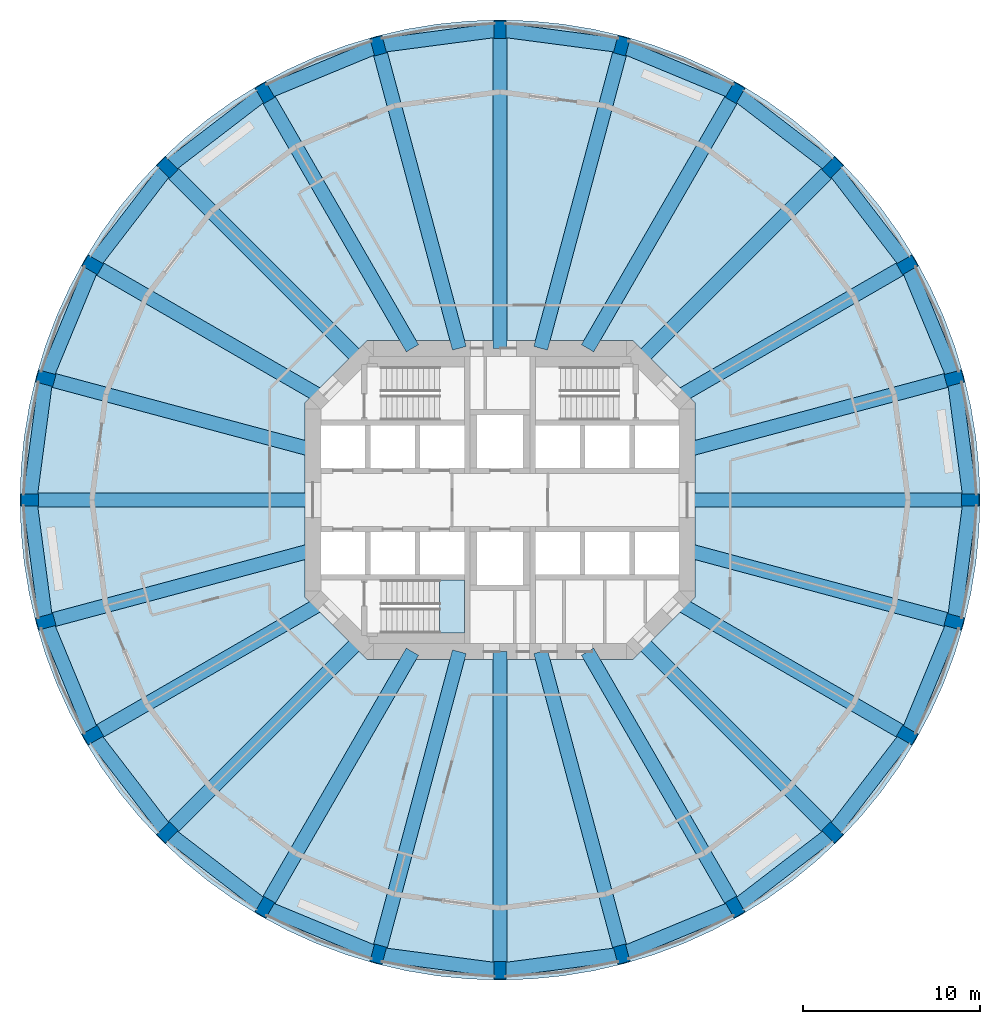
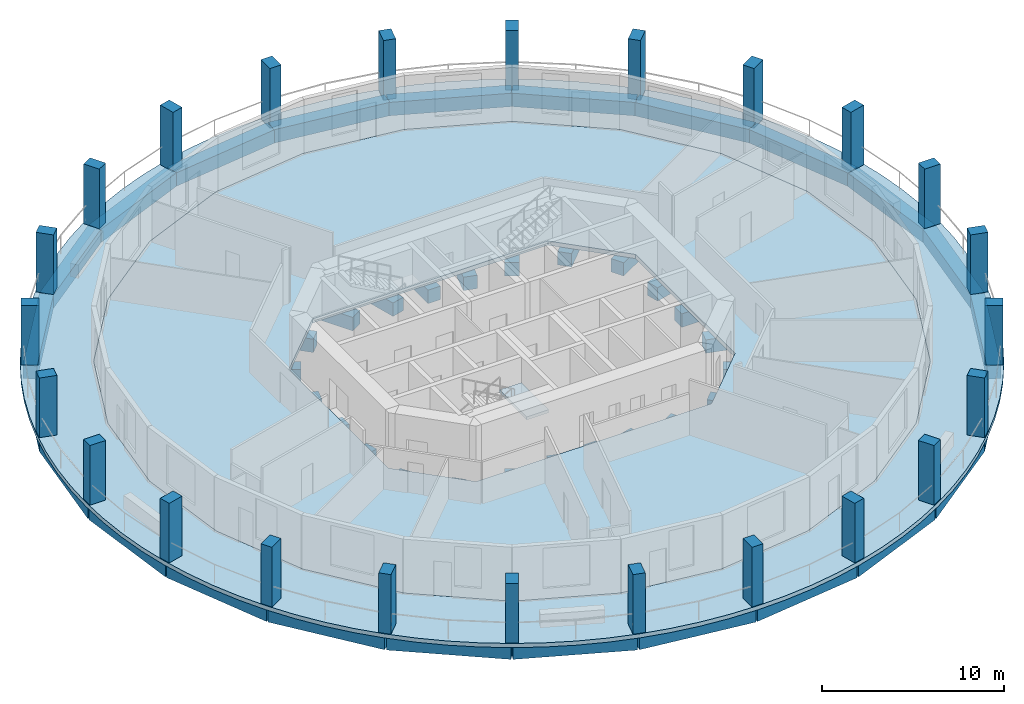
# One storey, part 1 of 9: 48 beams, 24 columns, 3 slabs, 1 element without a shape of its own.
"""IFC4 building model written with IfcOpenShell, lengths in metres."""

from ifc_helpers import new_model, si_unit, direction, frame, origin, origin_2d, place, context, subcontext, project, spatial, polyline, rectangle, outline, extrude, material, layer, layer_set, material_profile, profile_set, type_object, element, aggregate, save


model = new_model("IFC4")

# Units and contexts
model_context = context("Model", 3, precision=1e-05, world=origin(), true_north=direction((0.0, 1.0)))
body_context = subcontext(model_context, "Body", "Model", "MODEL_VIEW")
ifc_project = project(units=[si_unit("LENGTHUNIT", "METRE"), si_unit("AREAUNIT", "SQUARE_METRE"), si_unit("VOLUMEUNIT", "CUBIC_METRE"), si_unit("PLANEANGLEUNIT", "RADIAN"), si_unit("MASSUNIT", "GRAM", prefix="KILO")], contexts=[model_context])

# Site, building, storey
site_placement = place(None, origin())
site = spatial("IfcSite", under=ifc_project, at=site_placement, CompositionType="ELEMENT")
building_placement = place(site_placement, origin())
building = spatial("IfcBuilding", under=site, at=building_placement, Name="Torre Triforio", CompositionType="ELEMENT")
storey_placement = place(building_placement, frame((0.0, 0.0, 59.0)))
storey = spatial("IfcBuildingStorey", under=building, at=storey_placement, Name="L12", CompositionType="ELEMENT", Elevation=59.0)

# Columns
ifc_material_1 = material(Name="Concrete C70", Category="concrete")
ifc_material_profile_1 = material_profile(ifc_material_1, rectangle(XDim=0.699951171875, YDim=1.0, at=origin_2d()), Name="RC 700x1000")
ifc_profile_set_1 = profile_set([ifc_material_profile_1], Name="Concrete C70")
column_type = type_object("IfcColumnType", Name="Pier RC 700x1000 C70", PredefinedType="COLUMN", material=ifc_profile_set_1)
for number, where, z_axis, x_axis, name in (
    (1, (26.5, 0.0, 0.0), (0.0, 0.0, 1.0), (0.0, 1.0, 0.0), "COL.R.L12.00"),
    (2, (25.596923828125, 6.858642578125, 0.0), (0.0, 0.0, 1.0), (-0.258819045103, 0.965925826289, 0.0), "COL.R.L12.01"),
    (3, (22.94970703125, 13.25, 0.0), (0.0, 0.0, 1.0), (-0.5, 0.866025403784, 0.0), "COL.R.L12.02"),
    (4, (18.73828125, 18.73828125, 0.0), (0.0, 0.0, 1.0), (-0.707106781187, 0.707106781187, 0.0), "COL.R.L12.03"),
    (5, (13.25, 22.94970703125, 0.0), (0.0, 0.0, 1.0), (-0.866025403784, 0.5, 0.0), "COL.R.L12.04"),
    (6, (6.858642578125, 25.596923828125, 0.0), (0.0, 0.0, 1.0), (-0.965925826289, 0.258819045103, 0.0), "COL.R.L12.05"),
    (7, (0.0, 26.5, 0.0), (0.0, 0.0, 1.0), (-1.0, 0.0, 0.0), "COL.R.L12.06"),
    (8, (-6.858642578125, 25.596923828125, 0.0), (0.0, 0.0, 1.0), (-0.965925826289, -0.258819045103, 0.0), "COL.R.L12.07"),
    (9, (-13.25, 22.94970703125, 0.0), (0.0, 0.0, 1.0), (-0.866025403784, -0.5, 0.0), "COL.R.L12.08"),
    (10, (-18.73828125, 18.73828125, 0.0), (0.0, 0.0, 1.0), (-0.707106781187, -0.707106781187, 0.0), "COL.R.L12.09"),
    (11, (-22.94970703125, 13.25, 0.0), (0.0, 0.0, 1.0), (-0.5, -0.866025403784, 0.0), "COL.R.L12.10"),
    (12, (-25.596923828125, 6.858642578125, 0.0), (0.0, 0.0, 1.0), (-0.258819045103, -0.965925826289, 0.0), "COL.R.L12.11"),
    (13, (-26.5, 0.0, 0.0), (0.0, 0.0, 1.0), (0.0, -1.0, 0.0), "COL.R.L12.12"),
    (14, (-25.596923828125, -6.858642578125, 0.0), (0.0, 0.0, 1.0), (0.258819045103, -0.965925826289, 0.0), "COL.R.L12.13"),
    (15, (-22.94970703125, -13.25, 0.0), (0.0, 0.0, 1.0), (0.5, -0.866025403784, 0.0), "COL.R.L12.14"),
    (16, (-18.73828125, -18.73828125, 0.0), (0.0, 0.0, 1.0), (0.707106781187, -0.707106781187, 0.0), "COL.R.L12.15"),
    (17, (-13.25, -22.94970703125, 0.0), (0.0, 0.0, 1.0), (0.866025403784, -0.5, 0.0), "COL.R.L12.16"),
    (18, (-6.858642578125, -25.596923828125, 0.0), (0.0, 0.0, 1.0), (0.965925826289, -0.258819045103, 0.0), "COL.R.L12.17"),
    (19, (0.0, -26.5, 0.0), (0.0, 0.0, 1.0), (1.0, 0.0, 0.0), "COL.R.L12.18"),
    (20, (6.858642578125, -25.596923828125, 0.0), (0.0, 0.0, 1.0), (0.965925826289, 0.258819045103, 0.0), "COL.R.L12.19"),
    (21, (13.25, -22.94970703125, 0.0), (0.0, 0.0, 1.0), (0.866025403784, 0.5, 0.0), "COL.R.L12.20"),
    (22, (18.73828125, -18.73828125, 0.0), (0.0, 0.0, 1.0), (0.707106781187, 0.707106781187, 0.0), "COL.R.L12.21"),
    (23, (22.94970703125, -13.25, 0.0), (0.0, 0.0, 1.0), (0.5, 0.866025403784, 0.0), "COL.R.L12.22"),
    (24, (25.596923828125, -6.858642578125, 0.0), (0.0, 0.0, 1.0), (0.258819045103, 0.965925826289, 0.0), "COL.R.L12.23"),
):
    element("IfcColumn", number, at=place(storey_placement, frame(where, z_axis=z_axis, x_axis=x_axis)), inside=storey, type_object=column_type, Name=name, PredefinedType="COLUMN", context=body_context, shape_type="SweptSolid", body=[
        extrude(rectangle(XDim=0.699951171875, YDim=1.0, at=origin_2d()), origin(), (0.0, 0.0, 1.0), 4.0),
    ])

# Beams
ifc_material_2 = material(Name="Concrete C50", Category="concrete")
ifc_material_profile_2 = material_profile(ifc_material_2, rectangle(XDim=0.800048828125, YDim=0.89990234375, at=origin_2d()), Name="RC 800x900")
ifc_profile_set_2 = profile_set([ifc_material_profile_2], Name="Concrete C50")
beam_type_1 = type_object("IfcBeamType", Name="Radial beam RC 800x900 C50", PredefinedType="BEAM", material=ifc_profile_set_2)
beam_1_placement = place(storey_placement, frame((10.550048828125, 0.0, -0.72998046875), z_axis=(1.0, 0.0, 0.0), x_axis=(0.0, 1.0, 0.0)))
element("IfcBeam", 25, at=beam_1_placement, inside=storey, type_object=beam_type_1, Name="BM.R.L12.00", PredefinedType="BEAM", context=body_context, shape_type="SweptSolid", body=[
    extrude(rectangle(XDim=0.800048828125, YDim=0.89990234375, at=origin_2d()), origin(), (0.0, 0.0, 1.0), 15.949951171875),
])
beam_2_placement = place(storey_placement, frame((10.550048828125, 2.826904296875, -0.72998046875), z_axis=(0.965926784764, 0.258815467997, 0.0), x_axis=(-0.258815467997, 0.965926784764, 0.0)))
element("IfcBeam", 26, at=beam_2_placement, inside=storey, type_object=beam_type_1, Name="BM.R.L12.01", PredefinedType="BEAM", context=body_context, shape_type="SweptSolid", body=[
    extrude(rectangle(XDim=0.800048828125, YDim=0.89990234375, at=origin_2d()), origin(), (0.0, 0.0, 1.0), 15.57763671875),
])
beam_3_placement = place(storey_placement, frame((10.039794921875, 5.796630859375, -0.72998046875), z_axis=(0.866030402573, 0.499991341745, 0.0), x_axis=(-0.499991341745, 0.866030402573, 0.0)))
element("IfcBeam", 27, at=beam_3_placement, inside=storey, type_object=beam_type_1, Name="BM.R.L12.02", PredefinedType="BEAM", context=body_context, shape_type="SweptSolid", body=[
    extrude(rectangle(XDim=0.800048828125, YDim=0.89990234375, at=origin_2d()), origin(), (0.0, 0.0, 1.0), 14.906982421875),
])
beam_4_placement = place(storey_placement, frame((7.918212890625, 7.918212890625, -0.72998046875), z_axis=(0.707106781187, 0.707106781187, 0.0), x_axis=(-0.707106781187, 0.707106781187, 0.0)))
element("IfcBeam", 28, at=beam_4_placement, inside=storey, type_object=beam_type_1, Name="BM.R.L12.03", PredefinedType="BEAM", context=body_context, shape_type="SweptSolid", body=[
    extrude(rectangle(XDim=0.800048828125, YDim=0.89990234375, at=origin_2d()), origin(), (0.0, 0.0, 1.0), 15.302001953125),
])
beam_5_placement = place(storey_placement, frame((4.936279296875, 8.550048828125, -0.72998046875), z_axis=(0.500003345241, 0.8660234724, 0.0), x_axis=(-0.8660234724, 0.500003345241, 0.0)))
element("IfcBeam", 29, at=beam_5_placement, inside=storey, type_object=beam_type_1, Name="BM.R.L12.04", PredefinedType="BEAM", context=body_context, shape_type="SweptSolid", body=[
    extrude(rectangle(XDim=0.800048828125, YDim=0.89990234375, at=origin_2d()), origin(), (0.0, 0.0, 1.0), 16.62744140625),
])
beam_6_placement = place(storey_placement, frame((2.291015625, 8.550048828125, -0.72998046875), z_axis=(0.258815374176, 0.965926809903, 0.0), x_axis=(-0.965926809903, 0.258815374176, 0.0)))
element("IfcBeam", 30, at=beam_6_placement, inside=storey, type_object=beam_type_1, Name="BM.R.L12.05", PredefinedType="BEAM", context=body_context, shape_type="SweptSolid", body=[
    extrude(rectangle(XDim=0.800048828125, YDim=0.89990234375, at=origin_2d()), origin(), (0.0, 0.0, 1.0), 17.648193359375),
])
beam_7_placement = place(storey_placement, frame((0.0, 8.550048828125, -0.72998046875), z_axis=(0.0, 1.0, 0.0), x_axis=(-1.0, 0.0, 0.0)))
element("IfcBeam", 31, at=beam_7_placement, inside=storey, type_object=beam_type_1, Name="BM.R.L12.06", PredefinedType="BEAM", context=body_context, shape_type="SweptSolid", body=[
    extrude(rectangle(XDim=0.800048828125, YDim=0.89990234375, at=origin_2d()), origin(), (0.0, 0.0, 1.0), 17.949951171875),
])
beam_8_placement = place(storey_placement, frame((-2.291015625, 8.550048828125, -0.72998046875), z_axis=(-0.258815374176, 0.965926809903, 0.0), x_axis=(-0.965926809903, -0.258815374176, 0.0)))
element("IfcBeam", 32, at=beam_8_placement, inside=storey, type_object=beam_type_1, Name="BM.R.L12.07", PredefinedType="BEAM", context=body_context, shape_type="SweptSolid", body=[
    extrude(rectangle(XDim=0.800048828125, YDim=0.89990234375, at=origin_2d()), origin(), (0.0, 0.0, 1.0), 17.648193359375),
])
beam_9_placement = place(storey_placement, frame((-4.936279296875, 8.550048828125, -0.72998046875), z_axis=(-0.500003345241, 0.8660234724, 0.0), x_axis=(-0.8660234724, -0.500003345241, 0.0)))
element("IfcBeam", 33, at=beam_9_placement, inside=storey, type_object=beam_type_1, Name="BM.R.L12.08", PredefinedType="BEAM", context=body_context, shape_type="SweptSolid", body=[
    extrude(rectangle(XDim=0.800048828125, YDim=0.89990234375, at=origin_2d()), origin(), (0.0, 0.0, 1.0), 16.62744140625),
])
beam_10_placement = place(storey_placement, frame((-7.918212890625, 7.918212890625, -0.72998046875), z_axis=(-0.707106781187, 0.707106781187, 0.0), x_axis=(-0.707106781187, -0.707106781187, 0.0)))
element("IfcBeam", 34, at=beam_10_placement, inside=storey, type_object=beam_type_1, Name="BM.R.L12.09", PredefinedType="BEAM", context=body_context, shape_type="SweptSolid", body=[
    extrude(rectangle(XDim=0.800048828125, YDim=0.89990234375, at=origin_2d()), origin(), (0.0, 0.0, 1.0), 15.302001953125),
])
beam_11_placement = place(storey_placement, frame((-10.039794921875, 5.796630859375, -0.72998046875), z_axis=(-0.866030402573, 0.499991341745, 0.0), x_axis=(-0.499991341745, -0.866030402573, 0.0)))
element("IfcBeam", 35, at=beam_11_placement, inside=storey, type_object=beam_type_1, Name="BM.R.L12.10", PredefinedType="BEAM", context=body_context, shape_type="SweptSolid", body=[
    extrude(rectangle(XDim=0.800048828125, YDim=0.89990234375, at=origin_2d()), origin(), (0.0, 0.0, 1.0), 14.906982421875),
])
beam_12_placement = place(storey_placement, frame((-10.550048828125, 2.826904296875, -0.72998046875), z_axis=(-0.965926784764, 0.258815467997, 0.0), x_axis=(-0.258815467997, -0.965926784764, 0.0)))
element("IfcBeam", 36, at=beam_12_placement, inside=storey, type_object=beam_type_1, Name="BM.R.L12.11", PredefinedType="BEAM", context=body_context, shape_type="SweptSolid", body=[
    extrude(rectangle(XDim=0.800048828125, YDim=0.89990234375, at=origin_2d()), origin(), (0.0, 0.0, 1.0), 15.57763671875),
])
beam_13_placement = place(storey_placement, frame((-10.550048828125, 0.0, -0.72998046875), z_axis=(-1.0, 0.0, 0.0), x_axis=(0.0, -1.0, 0.0)))
element("IfcBeam", 37, at=beam_13_placement, inside=storey, type_object=beam_type_1, Name="BM.R.L12.12", PredefinedType="BEAM", context=body_context, shape_type="SweptSolid", body=[
    extrude(rectangle(XDim=0.800048828125, YDim=0.89990234375, at=origin_2d()), origin(), (0.0, 0.0, 1.0), 15.949951171875),
])
beam_14_placement = place(storey_placement, frame((-10.550048828125, -2.826904296875, -0.72998046875), z_axis=(-0.965926784764, -0.258815467997, 0.0), x_axis=(0.258815467997, -0.965926784764, 0.0)))
element("IfcBeam", 38, at=beam_14_placement, inside=storey, type_object=beam_type_1, Name="BM.R.L12.13", PredefinedType="BEAM", context=body_context, shape_type="SweptSolid", body=[
    extrude(rectangle(XDim=0.800048828125, YDim=0.89990234375, at=origin_2d()), origin(), (0.0, 0.0, 1.0), 15.57763671875),
])
beam_15_placement = place(storey_placement, frame((-10.039794921875, -5.796630859375, -0.72998046875), z_axis=(-0.866030402573, -0.499991341745, 0.0), x_axis=(0.499991341745, -0.866030402573, 0.0)))
element("IfcBeam", 39, at=beam_15_placement, inside=storey, type_object=beam_type_1, Name="BM.R.L12.14", PredefinedType="BEAM", context=body_context, shape_type="SweptSolid", body=[
    extrude(rectangle(XDim=0.800048828125, YDim=0.89990234375, at=origin_2d()), origin(), (0.0, 0.0, 1.0), 14.906982421875),
])
beam_16_placement = place(storey_placement, frame((-7.918212890625, -7.918212890625, -0.72998046875), z_axis=(-0.707106781187, -0.707106781187, 0.0), x_axis=(0.707106781187, -0.707106781187, 0.0)))
element("IfcBeam", 40, at=beam_16_placement, inside=storey, type_object=beam_type_1, Name="BM.R.L12.15", PredefinedType="BEAM", context=body_context, shape_type="SweptSolid", body=[
    extrude(rectangle(XDim=0.800048828125, YDim=0.89990234375, at=origin_2d()), origin(), (0.0, 0.0, 1.0), 15.302001953125),
])
beam_17_placement = place(storey_placement, frame((-4.936279296875, -8.550048828125, -0.72998046875), z_axis=(-0.500003345241, -0.8660234724, 0.0), x_axis=(0.8660234724, -0.500003345241, 0.0)))
element("IfcBeam", 41, at=beam_17_placement, inside=storey, type_object=beam_type_1, Name="BM.R.L12.16", PredefinedType="BEAM", context=body_context, shape_type="SweptSolid", body=[
    extrude(rectangle(XDim=0.800048828125, YDim=0.89990234375, at=origin_2d()), origin(), (0.0, 0.0, 1.0), 16.62744140625),
])
beam_18_placement = place(storey_placement, frame((-2.291015625, -8.550048828125, -0.72998046875), z_axis=(-0.258815374176, -0.965926809903, 0.0), x_axis=(0.965926809903, -0.258815374176, 0.0)))
element("IfcBeam", 42, at=beam_18_placement, inside=storey, type_object=beam_type_1, Name="BM.R.L12.17", PredefinedType="BEAM", context=body_context, shape_type="SweptSolid", body=[
    extrude(rectangle(XDim=0.800048828125, YDim=0.89990234375, at=origin_2d()), origin(), (0.0, 0.0, 1.0), 17.648193359375),
])
beam_19_placement = place(storey_placement, frame((0.0, -8.550048828125, -0.72998046875), z_axis=(0.0, -1.0, 0.0), x_axis=(1.0, 0.0, 0.0)))
element("IfcBeam", 43, at=beam_19_placement, inside=storey, type_object=beam_type_1, Name="BM.R.L12.18", PredefinedType="BEAM", context=body_context, shape_type="SweptSolid", body=[
    extrude(rectangle(XDim=0.800048828125, YDim=0.89990234375, at=origin_2d()), origin(), (0.0, 0.0, 1.0), 17.949951171875),
])
beam_20_placement = place(storey_placement, frame((2.291015625, -8.550048828125, -0.72998046875), z_axis=(0.258815374176, -0.965926809903, 0.0), x_axis=(0.965926809903, 0.258815374176, 0.0)))
element("IfcBeam", 44, at=beam_20_placement, inside=storey, type_object=beam_type_1, Name="BM.R.L12.19", PredefinedType="BEAM", context=body_context, shape_type="SweptSolid", body=[
    extrude(rectangle(XDim=0.800048828125, YDim=0.89990234375, at=origin_2d()), origin(), (0.0, 0.0, 1.0), 17.648193359375),
])
beam_21_placement = place(storey_placement, frame((4.936279296875, -8.550048828125, -0.72998046875), z_axis=(0.500003345241, -0.8660234724, 0.0), x_axis=(0.8660234724, 0.500003345241, 0.0)))
element("IfcBeam", 45, at=beam_21_placement, inside=storey, type_object=beam_type_1, Name="BM.R.L12.20", PredefinedType="BEAM", context=body_context, shape_type="SweptSolid", body=[
    extrude(rectangle(XDim=0.800048828125, YDim=0.89990234375, at=origin_2d()), origin(), (0.0, 0.0, 1.0), 16.62744140625),
])
beam_22_placement = place(storey_placement, frame((7.918212890625, -7.918212890625, -0.72998046875), z_axis=(0.707106781187, -0.707106781187, 0.0), x_axis=(0.707106781187, 0.707106781187, 0.0)))
element("IfcBeam", 46, at=beam_22_placement, inside=storey, type_object=beam_type_1, Name="BM.R.L12.21", PredefinedType="BEAM", context=body_context, shape_type="SweptSolid", body=[
    extrude(rectangle(XDim=0.800048828125, YDim=0.89990234375, at=origin_2d()), origin(), (0.0, 0.0, 1.0), 15.302001953125),
])
beam_23_placement = place(storey_placement, frame((10.039794921875, -5.796630859375, -0.72998046875), z_axis=(0.866030402573, -0.499991341745, 0.0), x_axis=(0.499991341745, 0.866030402573, 0.0)))
element("IfcBeam", 47, at=beam_23_placement, inside=storey, type_object=beam_type_1, Name="BM.R.L12.22", PredefinedType="BEAM", context=body_context, shape_type="SweptSolid", body=[
    extrude(rectangle(XDim=0.800048828125, YDim=0.89990234375, at=origin_2d()), origin(), (0.0, 0.0, 1.0), 14.906982421875),
])
beam_24_placement = place(storey_placement, frame((10.550048828125, -2.826904296875, -0.72998046875), z_axis=(0.965926784764, -0.258815467997, 0.0), x_axis=(0.258815467997, 0.965926784764, 0.0)))
element("IfcBeam", 48, at=beam_24_placement, inside=storey, type_object=beam_type_1, Name="BM.R.L12.23", PredefinedType="BEAM", context=body_context, shape_type="SweptSolid", body=[
    extrude(rectangle(XDim=0.800048828125, YDim=0.89990234375, at=origin_2d()), origin(), (0.0, 0.0, 1.0), 15.57763671875),
])
ifc_material_profile_3 = material_profile(ifc_material_2, rectangle(XDim=0.800048828125, YDim=0.89990234375, at=origin_2d()), Name="RC 800x900")
ifc_profile_set_3 = profile_set([ifc_material_profile_3], Name="Concrete C50")
beam_type_2 = type_object("IfcBeamType", Name="Spandrel beam RC 800x900 C50", PredefinedType="SPANDREL", material=ifc_profile_set_3)
beam_25_placement = place(storey_placement, frame((26.5, 0.0, -0.72998046875), z_axis=(-0.130543064996, 0.991442639885, 0.0), x_axis=(-0.991442639885, -0.130543064996, 0.0)))
element("IfcBeam", 49, at=beam_25_placement, inside=storey, type_object=beam_type_2, Name="BM.S.L12.00", PredefinedType="SPANDREL", context=body_context, shape_type="SweptSolid", body=[
    extrude(rectangle(XDim=0.800048828125, YDim=0.89990234375, at=origin_2d()), origin(), (0.0, 0.0, 1.0), 6.917724609375),
])
for number, where, z_axis, x_axis, name in (
    (50, (25.596923828125, 6.858642578125, -0.72998046875), (-0.382662441128, 0.923888227087, 0.0), (-0.923888227087, -0.382662441128, 0.0), "BM.S.L12.01"),
    (51, (22.94970703125, 13.25, -0.72998046875), (-0.608772297796, 0.793345000259, 0.0), (-0.793345000259, -0.608772297796, 0.0), "BM.S.L12.02"),
    (52, (18.73828125, 18.73828125, -0.72998046875), (-0.793345000259, 0.608772297796, 0.0), (-0.608772297796, -0.793345000259, 0.0), "BM.S.L12.03"),
    (53, (13.25, 22.94970703125, -0.72998046875), (-0.923888227087, 0.382662441128, 0.0), (-0.382662441128, -0.923888227087, 0.0), "BM.S.L12.04"),
):
    element("IfcBeam", number, at=place(storey_placement, frame(where, z_axis=z_axis, x_axis=x_axis)), inside=storey, type_object=beam_type_2, Name=name, PredefinedType="SPANDREL", context=body_context, shape_type="SweptSolid", body=[
        extrude(rectangle(XDim=0.800048828125, YDim=0.89990234375, at=origin_2d()), origin(), (0.0, 0.0, 1.0), 6.91796875),
    ])
for number, where, z_axis, x_axis, name in (
    (54, (6.858642578125, 25.596923828125, -0.72998046875), (-0.991442639885, 0.130543064996, 0.0), (-0.130543064996, -0.991442639885, 0.0), "BM.S.L12.05"),
    (55, (0.0, 26.5, -0.72998046875), (-0.991442639885, -0.130543064996, 0.0), (0.130543064996, -0.991442639885, 0.0), "BM.S.L12.06"),
):
    element("IfcBeam", number, at=place(storey_placement, frame(where, z_axis=z_axis, x_axis=x_axis)), inside=storey, type_object=beam_type_2, Name=name, PredefinedType="SPANDREL", context=body_context, shape_type="SweptSolid", body=[
        extrude(rectangle(XDim=0.800048828125, YDim=0.89990234375, at=origin_2d()), origin(), (0.0, 0.0, 1.0), 6.917724609375),
    ])
for number, where, z_axis, x_axis, name in (
    (56, (-6.858642578125, 25.596923828125, -0.72998046875), (-0.923888227087, -0.382662441128, 0.0), (0.382662441128, -0.923888227087, 0.0), "BM.S.L12.07"),
    (57, (-13.25, 22.94970703125, -0.72998046875), (-0.793345000259, -0.608772297796, 0.0), (0.608772297796, -0.793345000259, 0.0), "BM.S.L12.08"),
    (58, (-18.73828125, 18.73828125, -0.72998046875), (-0.608772297796, -0.793345000259, 0.0), (0.793345000259, -0.608772297796, 0.0), "BM.S.L12.09"),
    (59, (-22.94970703125, 13.25, -0.72998046875), (-0.382662441128, -0.923888227087, 0.0), (0.923888227087, -0.382662441128, 0.0), "BM.S.L12.10"),
):
    element("IfcBeam", number, at=place(storey_placement, frame(where, z_axis=z_axis, x_axis=x_axis)), inside=storey, type_object=beam_type_2, Name=name, PredefinedType="SPANDREL", context=body_context, shape_type="SweptSolid", body=[
        extrude(rectangle(XDim=0.800048828125, YDim=0.89990234375, at=origin_2d()), origin(), (0.0, 0.0, 1.0), 6.91796875),
    ])
for number, where, z_axis, x_axis, name in (
    (60, (-25.596923828125, 6.858642578125, -0.72998046875), (-0.130543064996, -0.991442639885, 0.0), (0.991442639885, -0.130543064996, 0.0), "BM.S.L12.11"),
    (61, (-26.5, 0.0, -0.72998046875), (0.130543064996, -0.991442639885, 0.0), (0.991442639885, 0.130543064996, 0.0), "BM.S.L12.12"),
):
    element("IfcBeam", number, at=place(storey_placement, frame(where, z_axis=z_axis, x_axis=x_axis)), inside=storey, type_object=beam_type_2, Name=name, PredefinedType="SPANDREL", context=body_context, shape_type="SweptSolid", body=[
        extrude(rectangle(XDim=0.800048828125, YDim=0.89990234375, at=origin_2d()), origin(), (0.0, 0.0, 1.0), 6.917724609375),
    ])
for number, where, z_axis, x_axis, name in (
    (62, (-25.596923828125, -6.858642578125, -0.72998046875), (0.382662441128, -0.923888227087, 0.0), (0.923888227087, 0.382662441128, 0.0), "BM.S.L12.13"),
    (63, (-22.94970703125, -13.25, -0.72998046875), (0.608772297796, -0.793345000259, 0.0), (0.793345000259, 0.608772297796, 0.0), "BM.S.L12.14"),
    (64, (-18.73828125, -18.73828125, -0.72998046875), (0.793345000259, -0.608772297796, 0.0), (0.608772297796, 0.793345000259, 0.0), "BM.S.L12.15"),
    (65, (-13.25, -22.94970703125, -0.72998046875), (0.923888227087, -0.382662441128, 0.0), (0.382662441128, 0.923888227087, 0.0), "BM.S.L12.16"),
):
    element("IfcBeam", number, at=place(storey_placement, frame(where, z_axis=z_axis, x_axis=x_axis)), inside=storey, type_object=beam_type_2, Name=name, PredefinedType="SPANDREL", context=body_context, shape_type="SweptSolid", body=[
        extrude(rectangle(XDim=0.800048828125, YDim=0.89990234375, at=origin_2d()), origin(), (0.0, 0.0, 1.0), 6.91796875),
    ])
for number, where, z_axis, x_axis, name in (
    (66, (-6.858642578125, -25.596923828125, -0.72998046875), (0.991442639885, -0.130543064996, 0.0), (0.130543064996, 0.991442639885, 0.0), "BM.S.L12.17"),
    (67, (0.0, -26.5, -0.72998046875), (0.991442639885, 0.130543064996, 0.0), (-0.130543064996, 0.991442639885, 0.0), "BM.S.L12.18"),
):
    element("IfcBeam", number, at=place(storey_placement, frame(where, z_axis=z_axis, x_axis=x_axis)), inside=storey, type_object=beam_type_2, Name=name, PredefinedType="SPANDREL", context=body_context, shape_type="SweptSolid", body=[
        extrude(rectangle(XDim=0.800048828125, YDim=0.89990234375, at=origin_2d()), origin(), (0.0, 0.0, 1.0), 6.917724609375),
    ])
for number, where, z_axis, x_axis, name in (
    (68, (6.858642578125, -25.596923828125, -0.72998046875), (0.923888227087, 0.382662441128, 0.0), (-0.382662441128, 0.923888227087, 0.0), "BM.S.L12.19"),
    (69, (13.25, -22.94970703125, -0.72998046875), (0.793345000259, 0.608772297796, 0.0), (-0.608772297796, 0.793345000259, 0.0), "BM.S.L12.20"),
    (70, (18.73828125, -18.73828125, -0.72998046875), (0.608772297796, 0.793345000259, 0.0), (-0.793345000259, 0.608772297796, 0.0), "BM.S.L12.21"),
    (71, (22.94970703125, -13.25, -0.72998046875), (0.382662441128, 0.923888227087, 0.0), (-0.923888227087, 0.382662441128, 0.0), "BM.S.L12.22"),
):
    element("IfcBeam", number, at=place(storey_placement, frame(where, z_axis=z_axis, x_axis=x_axis)), inside=storey, type_object=beam_type_2, Name=name, PredefinedType="SPANDREL", context=body_context, shape_type="SweptSolid", body=[
        extrude(rectangle(XDim=0.800048828125, YDim=0.89990234375, at=origin_2d()), origin(), (0.0, 0.0, 1.0), 6.91796875),
    ])
beam_26_placement = place(storey_placement, frame((25.596923828125, -6.858642578125, -0.72998046875), z_axis=(0.130543064996, 0.991442639885, 0.0), x_axis=(-0.991442639885, 0.130543064996, 0.0)))
element("IfcBeam", 72, at=beam_26_placement, inside=storey, type_object=beam_type_2, Name="BM.S.L12.23", PredefinedType="SPANDREL", context=body_context, shape_type="SweptSolid", body=[
    extrude(rectangle(XDim=0.800048828125, YDim=0.89990234375, at=origin_2d()), origin(), (0.0, 0.0, 1.0), 6.917724609375),
])

# Slabs
ifc_layer_1 = layer(ifc_material_2, 0.280029296875)
ifc_layer_set_1 = layer_set([ifc_layer_1], Name="Concrete C50")
slab_type_1 = type_object("IfcSlabType", Name="Floor slab 280 C50", PredefinedType="FLOOR", material=ifc_layer_set_1)
slab_1_placement = place(storey_placement, frame((0.0, 0.0, -0.280029296875)))
element("IfcSlab", 73, at=slab_1_placement, inside=storey, type_object=slab_type_1, Name="SL.L12", PredefinedType="FLOOR", context=body_context, shape_type="SweptSolid", body=[
    extrude(outline(polyline([(19.918701171875, -11.5), (22.21630859375, -5.952880859375), (23.0, 0.0), (22.21630859375, 5.952880859375), (19.918701171875, 11.5), (16.263427734375, 16.263427734375), (11.5, 19.918701171875), (5.952880859375, 22.21630859375), (0.0, 23.0), (-5.952880859375, 22.21630859375), (-11.5, 19.918701171875), (-16.263427734375, 16.263427734375), (-19.918701171875, 11.5), (-22.21630859375, 5.952880859375), (-23.0, 0.0), (-22.21630859375, -5.952880859375), (-19.918701171875, -11.5), (-16.263427734375, -16.263427734375), (-11.5, -19.918701171875), (-5.952880859375, -22.21630859375), (0.0, -23.0), (5.952880859375, -22.21630859375), (11.5, -19.918701171875), (16.263427734375, -16.263427734375), (19.918701171875, -11.5)]), holes=[polyline([(11.0, 5.472900390625), (11.0, -5.472900390625), (7.472900390625, -9.0), (-7.472900390625, -9.0), (-11.0, -5.472900390625), (-11.0, 5.472900390625), (-7.472900390625, 9.0), (7.472900390625, 9.0), (11.0, 5.472900390625)])]), origin(), (0.0, 0.0, 1.0), 0.280029296875),
])
ifc_layer_2 = layer(ifc_material_2, 0.280029296875)
ifc_layer_set_2 = layer_set([ifc_layer_2], Name="Concrete C50")
slab_type_2 = type_object("IfcSlabType", Name="Loggia slab 280 C50", PredefinedType="FLOOR", material=ifc_layer_set_2)
slab_2_placement = place(storey_placement, frame((0.0, 0.0, -0.280029296875)))
element("IfcSlab", 74, at=slab_2_placement, inside=storey, type_object=slab_type_2, Name="SL.L12.LG", PredefinedType="FLOOR", context=body_context, shape_type="SweptSolid", body=[
    extrude(outline(polyline([(26.9921875, -1.76904296875), (27.050048828125, 0.0), (26.9921875, 1.76904296875), (26.818603515625, 3.53076171875), (26.5302734375, 5.277099609375), (26.128173828125, 7.0009765625), (25.614501953125, 8.69482421875), (24.990966796875, 10.3515625), (24.260498046875, 11.9638671875), (23.426025390625, 13.52490234375), (22.4912109375, 15.028076171875), (21.460205078125, 16.467041015625), (20.337158203125, 17.835205078125), (19.127197265625, 19.127197265625), (17.835205078125, 20.337158203125), (16.467041015625, 21.460205078125), (15.028076171875, 22.4912109375), (13.52490234375, 23.426025390625), (11.9638671875, 24.260498046875), (10.3515625, 24.990966796875), (8.69482421875, 25.614501953125), (7.0009765625, 26.128173828125), (5.277099609375, 26.5302734375), (3.53076171875, 26.818603515625), (1.76904296875, 26.9921875), (0.0, 27.050048828125), (-1.76904296875, 26.9921875), (-3.53076171875, 26.818603515625), (-5.277099609375, 26.5302734375), (-7.0009765625, 26.128173828125), (-8.69482421875, 25.614501953125), (-10.3515625, 24.990966796875), (-11.9638671875, 24.260498046875), (-13.52490234375, 23.426025390625), (-15.028076171875, 22.4912109375), (-16.467041015625, 21.460205078125), (-17.835205078125, 20.337158203125), (-19.127197265625, 19.127197265625), (-20.337158203125, 17.835205078125), (-21.460205078125, 16.467041015625), (-22.4912109375, 15.028076171875), (-23.426025390625, 13.52490234375), (-24.260498046875, 11.9638671875), (-24.990966796875, 10.3515625), (-25.614501953125, 8.69482421875), (-26.128173828125, 7.0009765625), (-26.5302734375, 5.277099609375), (-26.818603515625, 3.53076171875), (-26.9921875, 1.76904296875), (-27.050048828125, 0.0), (-26.9921875, -1.76904296875), (-26.818603515625, -3.53076171875), (-26.5302734375, -5.277099609375), (-26.128173828125, -7.0009765625), (-25.614501953125, -8.69482421875), (-24.990966796875, -10.3515625), (-24.260498046875, -11.9638671875), (-23.426025390625, -13.52490234375), (-22.4912109375, -15.028076171875), (-21.460205078125, -16.467041015625), (-20.337158203125, -17.835205078125), (-19.127197265625, -19.127197265625), (-17.835205078125, -20.337158203125), (-16.467041015625, -21.460205078125), (-15.028076171875, -22.4912109375), (-13.52490234375, -23.426025390625), (-11.9638671875, -24.260498046875), (-10.3515625, -24.990966796875), (-8.69482421875, -25.614501953125), (-7.0009765625, -26.128173828125), (-5.277099609375, -26.5302734375), (-3.53076171875, -26.818603515625), (-1.76904296875, -26.9921875), (0.0, -27.050048828125), (1.76904296875, -26.9921875), (3.53076171875, -26.818603515625), (5.277099609375, -26.5302734375), (7.0009765625, -26.128173828125), (8.69482421875, -25.614501953125), (10.3515625, -24.990966796875), (11.9638671875, -24.260498046875), (13.52490234375, -23.426025390625), (15.028076171875, -22.4912109375), (16.467041015625, -21.460205078125), (17.835205078125, -20.337158203125), (19.127197265625, -19.127197265625), (20.337158203125, -17.835205078125), (21.460205078125, -16.467041015625), (22.4912109375, -15.028076171875), (23.426025390625, -13.52490234375), (24.260498046875, -11.9638671875), (24.990966796875, -10.3515625), (25.614501953125, -8.69482421875), (26.128173828125, -7.0009765625), (26.5302734375, -5.277099609375), (26.818603515625, -3.53076171875), (26.9921875, -1.76904296875)]), holes=[polyline([(22.21630859375, 5.952880859375), (23.0, 0.0), (22.21630859375, -5.952880859375), (19.918701171875, -11.5), (16.263427734375, -16.263427734375), (11.5, -19.918701171875), (5.952880859375, -22.21630859375), (0.0, -23.0), (-5.952880859375, -22.21630859375), (-11.5, -19.918701171875), (-16.263427734375, -16.263427734375), (-19.918701171875, -11.5), (-22.21630859375, -5.952880859375), (-23.0, 0.0), (-22.21630859375, 5.952880859375), (-19.918701171875, 11.5), (-16.263427734375, 16.263427734375), (-11.5, 19.918701171875), (-5.952880859375, 22.21630859375), (0.0, 23.0), (5.952880859375, 22.21630859375), (11.5, 19.918701171875), (16.263427734375, 16.263427734375), (19.918701171875, 11.5), (22.21630859375, 5.952880859375)])]), origin(), (0.0, 0.0, 1.0), 0.280029296875),
])

# Stair, slab
ifc_material_3 = material(Name="Concrete C40", Category="concrete")
stair_type = type_object("IfcStairType", Name="STAIR HALF-TURN", PredefinedType="HALF_TURN_STAIR", material=ifc_material_3)
stair_placement = place(storey_placement, origin())
stair = element("IfcStair", 75, at=stair_placement, inside=storey, type_object=stair_type, Name="Exit stair 3", PredefinedType="HALF_TURN_STAIR")
ifc_layer_3 = layer(ifc_material_3, 0.199951171875)
ifc_layer_set_3 = layer_set([ifc_layer_3], Name="Concrete C40")
slab_type_3 = type_object("IfcSlabType", Name="STAIR LANDING 200", PredefinedType="LANDING", material=ifc_layer_set_3)
slab_3_placement = place(storey_placement, frame((0.0, 0.0, 1.800048828125)))
slab_3 = element("IfcSlab", 76, at=slab_3_placement, type_object=slab_type_3, Name="ST3 landing 1", PredefinedType="LANDING", context=body_context, shape_type="SweptSolid", body=[
    extrude(outline(polyline([(-2.0, -7.5), (-2.0, -4.5), (-3.39990234375, -4.5), (-3.39990234375, -7.5), (-2.0, -7.5)])), origin(), (0.0, 0.0, 1.0), 0.199951171875),
])
aggregate(stair, [slab_3])

save(model, "model.ifc")
